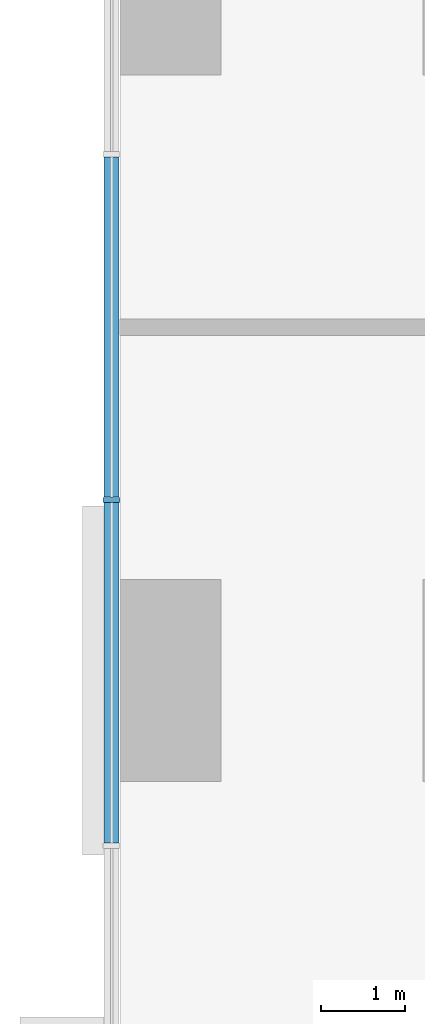
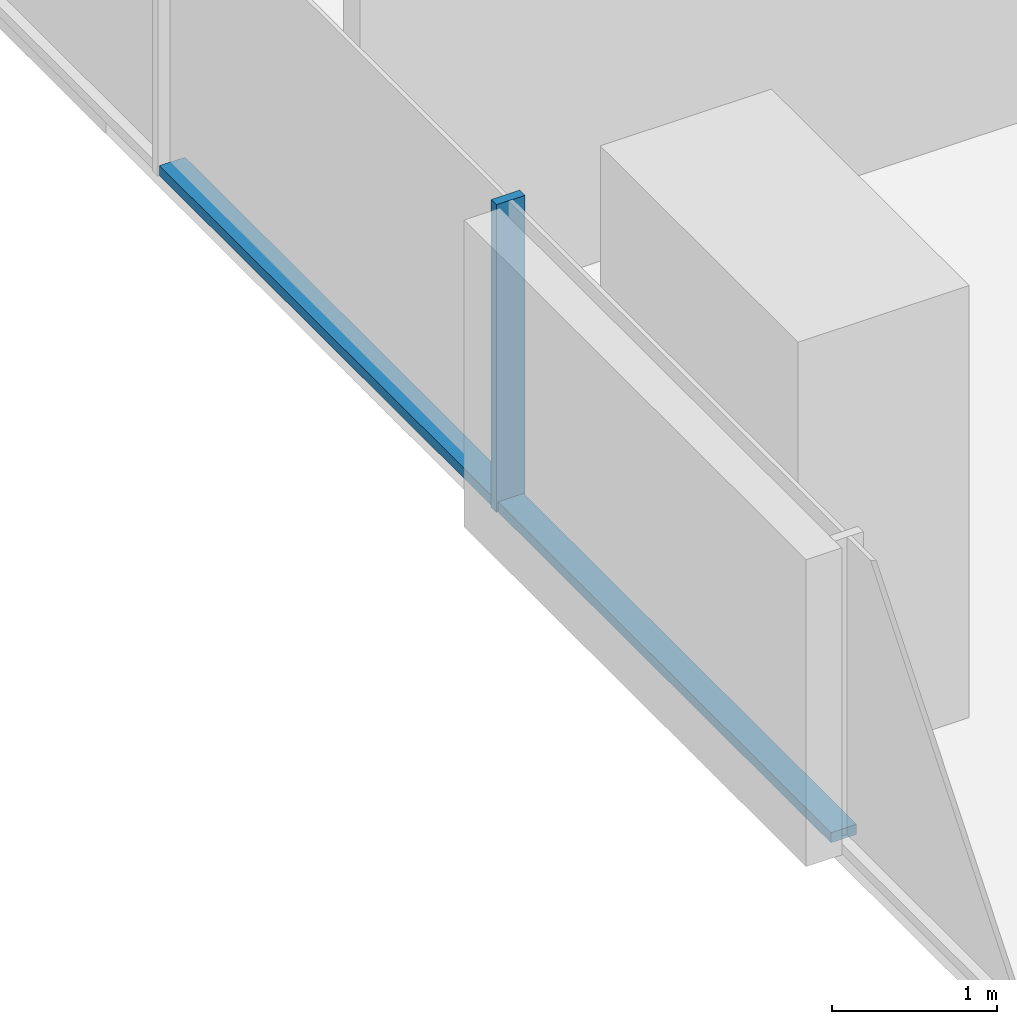
# One storey, part 3 of 16: 3 members, 1 element without a shape of its own.
"""IFC4 building model written with IfcOpenShell, lengths in metres."""

from ifc_helpers import new_model, si_unit, direction, frame, origin, origin_2d, place, context, subcontext, project, spatial, rectangle, extrude, material, material_profile, profile_set, type_object, element, aggregate, save


model = new_model("IFC4")

# Units and contexts
model_context = context("Model", 3, precision=1e-05, world=origin(), true_north=direction((0.0, 1.0)))
body_context = subcontext(model_context, "Body", "Model", "MODEL_VIEW")
ifc_project = project(units=[si_unit("LENGTHUNIT", "METRE"), si_unit("AREAUNIT", "SQUARE_METRE"), si_unit("VOLUMEUNIT", "CUBIC_METRE"), si_unit("PLANEANGLEUNIT", "RADIAN"), si_unit("MASSUNIT", "GRAM", prefix="KILO")], contexts=[model_context])

# Site, building, storey
site_placement = place(None, origin())
site = spatial("IfcSite", under=ifc_project, at=site_placement, CompositionType="ELEMENT")
building_placement = place(site_placement, origin())
building = spatial("IfcBuilding", under=site, at=building_placement, Name="Dunama Terrace Hotel", CompositionType="ELEMENT")
storey_placement = place(building_placement, frame((0.0, 0.0, 84.60009765625)))
storey = spatial("IfcBuildingStorey", under=building, at=storey_placement, Name="L21", CompositionType="ELEMENT", Elevation=84.60009765625)

# Curtain wall, members
ifc_material_1 = material(Name="Aluminium curtain wall system", Category="aluminium")
curtain_wall_type = type_object("IfcCurtainWallType", Name="Unitised fritted glass wall CW-A", PredefinedType="NOTDEFINED", material=ifc_material_1)
curtain_wall_placement = place(storey_placement, origin())
curtain_wall = element("IfcCurtainWall", 1, at=curtain_wall_placement, inside=storey, type_object=curtain_wall_type, Name="Unitised fritted glass wall CW-A L21", PredefinedType="NOTDEFINED")
ifc_material_2 = material(Name="Aluminium mullion", Category="aluminium")
ifc_material_profile_1 = material_profile(ifc_material_2, rectangle(XDim=0.06494140625, YDim=0.199951171875, at=origin_2d()), Name="CWA MULLION 65X200")
ifc_profile_set_1 = profile_set([ifc_material_profile_1], Name="Aluminium mullion")
member_type_1 = type_object("IfcMemberType", Name="CWA mullion 65x200", PredefinedType="MULLION", material=ifc_profile_set_1)
member_1_placement = place(storey_placement, frame((-0.10009765625, 27.345947265625, 0.0), z_axis=(0.0, 0.0, 1.0), x_axis=(0.0, -1.0, 0.0)))
member_1 = element("IfcMember", 2, at=member_1_placement, type_object=member_type_1, Name="CWA mullion", PredefinedType="MULLION", context=body_context, shape_type="SweptSolid", body=[
    extrude(rectangle(XDim=0.06494140625, YDim=0.199951171875, at=origin_2d()), origin(), (0.0, 0.0, 1.0), 2.27880859375),
])
ifc_material_3 = material(Name="Aluminium transom", Category="aluminium")
ifc_material_profile_2 = material_profile(ifc_material_3, rectangle(XDim=0.179931640625, YDim=0.074951171875, at=origin_2d()), Name="CWA TRANSOM 180X75")
ifc_profile_set_2 = profile_set([ifc_material_profile_2], Name="Aluminium transom")
member_type_2 = type_object("IfcMemberType", Name="CWA transom 180x75", PredefinedType="USERDEFINED", material=ifc_profile_set_2)
member_2_placement = place(storey_placement, frame((-0.10009765625, 31.4208984375, 0.037353515625), z_axis=(0.0, -1.0, 0.0), x_axis=(1.0, 0.0, 0.0)))
member_2 = element("IfcMember", 3, at=member_2_placement, type_object=member_type_2, Name="CWA transom", ObjectType="TRANSOM", PredefinedType="USERDEFINED", context=body_context, shape_type="SweptSolid", body=[
    extrude(rectangle(XDim=0.179931640625, YDim=0.074951171875, at=origin_2d()), origin(), (0.0, 0.0, 1.0), 4.0419921875),
])
member_3_placement = place(storey_placement, frame((-0.10009765625, 27.31396484375, 0.037353515625), z_axis=(0.0, -1.0, 0.0), x_axis=(1.0, 0.0, 0.0)))
member_3 = element("IfcMember", 4, at=member_3_placement, type_object=member_type_2, Name="CWA transom", ObjectType="TRANSOM", PredefinedType="USERDEFINED", context=body_context, shape_type="SweptSolid", body=[
    extrude(rectangle(XDim=0.179931640625, YDim=0.074951171875, at=origin_2d()), origin(), (0.0, 0.0, 1.0), 4.04296875),
])
aggregate(curtain_wall, [member_1, member_2, member_3])

save(model, "model.ifc")
